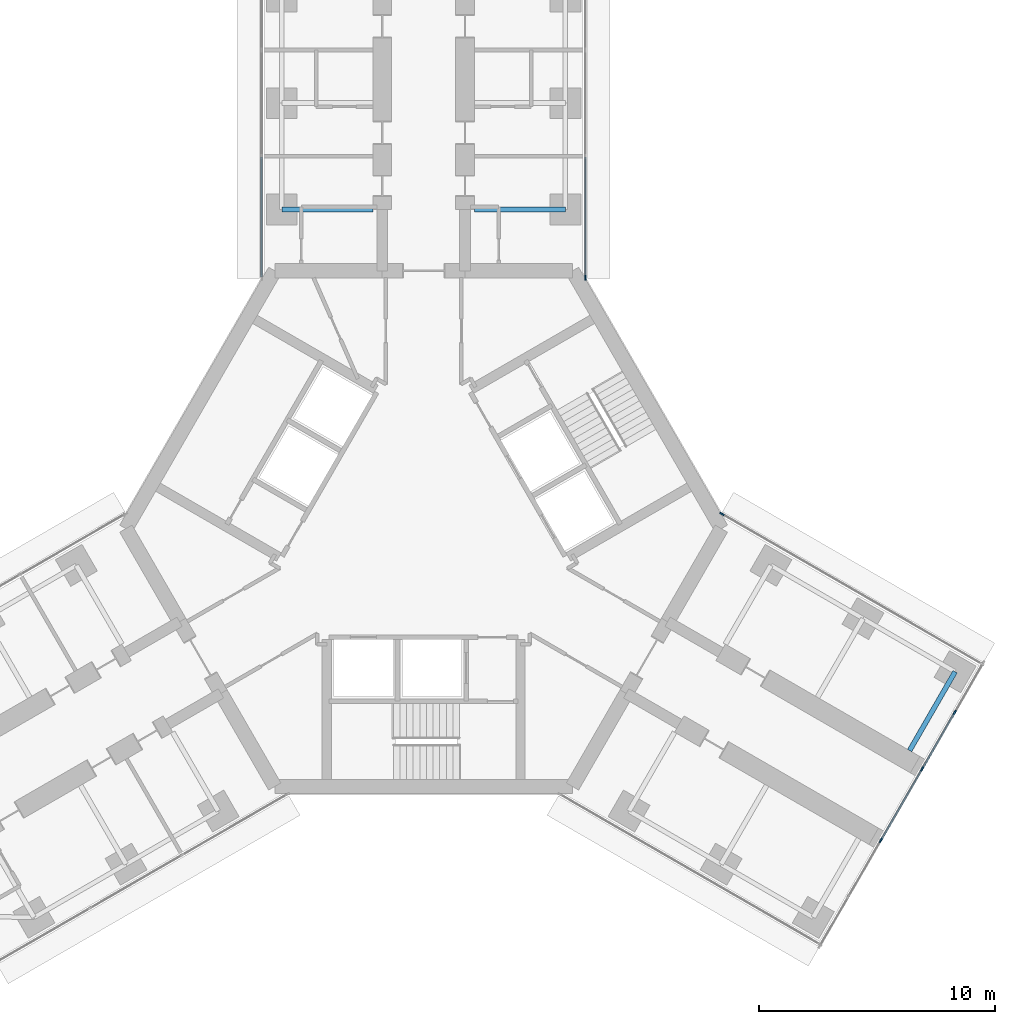
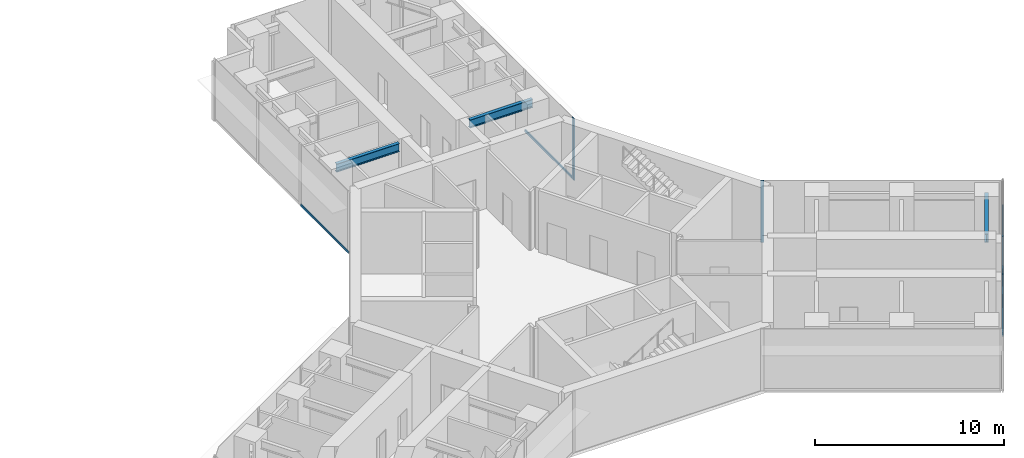
# One storey, part 10 of 22: 9 members, 3 beams, 4 elements without a shape of their own.
"""IFC4 building model written with IfcOpenShell, lengths in metres."""

from ifc_helpers import new_model, si_unit, direction, frame, origin, origin_2d, place, context, subcontext, project, spatial, rectangle, i_section, extrude, material, material_profile, profile_set, type_object, element, aggregate, save


model = new_model("IFC4")

# Units and contexts
model_context = context("Model", 3, precision=1e-05, world=origin(), true_north=direction((0.0, 1.0)))
body_context = subcontext(model_context, "Body", "Model", "MODEL_VIEW")
ifc_project = project(units=[si_unit("LENGTHUNIT", "METRE"), si_unit("AREAUNIT", "SQUARE_METRE"), si_unit("VOLUMEUNIT", "CUBIC_METRE"), si_unit("PLANEANGLEUNIT", "RADIAN"), si_unit("MASSUNIT", "GRAM", prefix="KILO")], contexts=[model_context])

# Site, building, storey
site_placement = place(None, origin())
site = spatial("IfcSite", under=ifc_project, at=site_placement, CompositionType="ELEMENT")
building_placement = place(site_placement, origin())
building = spatial("IfcBuilding", under=site, at=building_placement, Name="Upepo Twin Towers", CompositionType="ELEMENT")
storey_placement = place(building_placement, frame((0.0, 0.0, 125.5)))
storey = spatial("IfcBuildingStorey", under=building, at=storey_placement, Name="L30", CompositionType="ELEMENT", Elevation=125.5)

# Beams
ifc_material_1 = material(Name="Steel S355", Category="steel")
ifc_material_profile_1 = material_profile(ifc_material_1, i_section(OverallWidth=0.209228515625, OverallDepth=0.533203125, WebThickness=0.010009765625, FlangeThickness=0.015625, FilletRadius=0.0126953125, at=origin_2d()), Name="UB 533x210x92")
ifc_profile_set_1 = profile_set([ifc_material_profile_1], Name="Steel S355")
beam_type = type_object("IfcBeamType", Name="Beam UB 533x210x92", PredefinedType="BEAM", material=ifc_profile_set_1)
for number, where, z_axis, x_axis, name in (
    (1, (52.5, -4.5, 3.533447265625), (1.0, 0.0, 0.0), (0.0, 1.0, 0.0), "T2 girder AL at 13.5"),
    (2, (64.5, -4.5, 3.533447265625), (-1.0, 0.0, 0.0), (0.0, -1.0, 0.0), "T2 girder AR at 13.5"),
):
    element("IfcBeam", number, at=place(storey_placement, frame(where, z_axis=z_axis, x_axis=x_axis)), inside=storey, type_object=beam_type, Name=name, PredefinedType="BEAM", context=body_context, shape_type="SweptSolid", body=[
        extrude(i_section(OverallWidth=0.209228515625, OverallDepth=0.533203125, WebThickness=0.010009765625, FlangeThickness=0.015625, FilletRadius=0.0126953125, at=origin_2d()), origin(), (0.0, 0.0, 1.0), 3.85009765625),
    ])
beam_placement = place(storey_placement, frame((80.985595703125, -24.053955078125, 3.533447265625), z_axis=(-0.500033517596, -0.866006051527, 0.0), x_axis=(0.866006051527, -0.500033517596, 0.0)))
element("IfcBeam", 3, at=beam_placement, inside=storey, type_object=beam_type, Name="T2 girder CL at 22.5", PredefinedType="BEAM", context=body_context, shape_type="SweptSolid", body=[
    extrude(i_section(OverallWidth=0.209228515625, OverallDepth=0.533203125, WebThickness=0.010009765625, FlangeThickness=0.015625, FilletRadius=0.0126953125, at=origin_2d()), origin(), (0.0, 0.0, 1.0), 3.849853515625),
])

# Curtain wall, member
ifc_material_2 = material(Name="Aluminium and fritted glass", Category="aluminium")
curtain_wall_type = type_object("IfcCurtainWallType", Name="Tower curtain wall TW2, fritted glass", PredefinedType="NOTDEFINED", material=ifc_material_2)
curtain_wall_1_placement = place(storey_placement, origin())
curtain_wall_1 = element("IfcCurtainWall", 4, at=curtain_wall_1_placement, inside=storey, type_object=curtain_wall_type, Name="T2 L30 wing A flank R curtain wall", PredefinedType="NOTDEFINED")
ifc_material_3 = material(Name="Aluminium mullion", Category="aluminium")
ifc_material_profile_2 = material_profile(ifc_material_3, rectangle(XDim=0.06494140625, YDim=0.199951171875, at=origin_2d()), Name="MULLION 65x200")
ifc_profile_set_2 = profile_set([ifc_material_profile_2], Name="Aluminium mullion")
member_type_1 = type_object("IfcMemberType", Name="Mullion 65x200 TW2", PredefinedType="MULLION", material=ifc_profile_set_2)
member_1_placement = place(storey_placement, frame((65.35009765625, -7.38037109375, 0.0), z_axis=(0.0, 0.0, 1.0), x_axis=(1.0, 0.0, 0.0)))
member_1 = element("IfcMember", 5, at=member_1_placement, type_object=member_type_1, Name="T2 L30 wing A flank R curtain wall mullion 4", PredefinedType="MULLION", context=body_context, shape_type="SweptSolid", body=[
    extrude(rectangle(XDim=0.06494140625, YDim=0.199951171875, at=origin_2d()), origin(), (0.0, 0.0, 1.0), 4.0),
])

curtain_wall_2_placement = place(storey_placement, origin())
curtain_wall_2 = element("IfcCurtainWall", 6, at=curtain_wall_2_placement, inside=storey, type_object=curtain_wall_type, Name="T2 L30 wing C flank L curtain wall", PredefinedType="NOTDEFINED")
member_2_placement = place(storey_placement, frame((71.121826171875, -17.37744140625, 0.0), z_axis=(0.0, 0.0, 1.0), x_axis=(0.50000000792, 0.866025399212, 0.0)))
member_2 = element("IfcMember", 7, at=member_2_placement, type_object=member_type_1, Name="T2 L30 wing C flank L curtain wall mullion 1", PredefinedType="MULLION", context=body_context, shape_type="SweptSolid", body=[
    extrude(rectangle(XDim=0.06494140625, YDim=0.199951171875, at=origin_2d()), origin(), (0.0, 0.0, 1.0), 4.0),
])
aggregate(curtain_wall_2, [member_2])

# Curtain wall, members
curtain_wall_3_placement = place(storey_placement, origin())
curtain_wall_3 = element("IfcCurtainWall", 8, at=curtain_wall_3_placement, inside=storey, type_object=curtain_wall_type, Name="T2 L30 wing C nose curtain wall", PredefinedType="NOTDEFINED")
member_3_placement = place(storey_placement, frame((77.8466796875, -31.1904296875, 0.0), z_axis=(0.0, 0.0, 1.0), x_axis=(-0.866025419745, 0.499999972355, 0.0)))
member_3 = element("IfcMember", 9, at=member_3_placement, type_object=member_type_1, Name="T2 L30 wing C nose curtain wall mullion 3", PredefinedType="MULLION", context=body_context, shape_type="SweptSolid", body=[
    extrude(rectangle(XDim=0.06494140625, YDim=0.199951171875, at=origin_2d()), origin(), (0.0, 0.0, 1.0), 4.0),
])
member_4_placement = place(storey_placement, frame((79.5966796875, -28.159423828125, 0.0), z_axis=(0.0, 0.0, 1.0), x_axis=(-0.866025419745, 0.499999972355, 0.0)))
member_4 = element("IfcMember", 10, at=member_4_placement, type_object=member_type_1, Name="T2 L30 wing C nose curtain wall mullion 4", PredefinedType="MULLION", context=body_context, shape_type="SweptSolid", body=[
    extrude(rectangle(XDim=0.06494140625, YDim=0.199951171875, at=origin_2d()), origin(), (0.0, 0.0, 1.0), 4.0),
])
member_5_placement = place(storey_placement, frame((80.9716796875, -25.77783203125, 0.0), z_axis=(0.0, 0.0, 1.0), x_axis=(-0.866025419745, 0.499999972355, 0.0)))
member_5 = element("IfcMember", 11, at=member_5_placement, type_object=member_type_1, Name="T2 L30 wing C nose curtain wall mullion 5", PredefinedType="MULLION", context=body_context, shape_type="SweptSolid", body=[
    extrude(rectangle(XDim=0.06494140625, YDim=0.199951171875, at=origin_2d()), origin(), (0.0, 0.0, 1.0), 4.0),
])

# Curtain wall, member
curtain_wall_4_placement = place(storey_placement, origin())
curtain_wall_4 = element("IfcCurtainWall", 12, at=curtain_wall_4_placement, inside=storey, type_object=curtain_wall_type, Name="T2 L30 wing A flank L curtain wall", PredefinedType="NOTDEFINED")
ifc_material_4 = material(Name="Aluminium transom", Category="aluminium")
ifc_material_profile_3 = material_profile(ifc_material_4, rectangle(XDim=0.06494140625, YDim=0.14990234375, at=origin_2d()), Name="TRANSOM 65x150")
ifc_profile_set_3 = profile_set([ifc_material_profile_3], Name="Aluminium transom")
member_type_2 = type_object("IfcMemberType", Name="Transom 65x150 TW2", PredefinedType="USERDEFINED", material=ifc_profile_set_3)
member_6_placement = place(storey_placement, frame((51.64990234375, -7.347900390625, 0.074951171875), z_axis=(0.0, 1.0, 0.0), x_axis=(-1.0, 0.0, 0.0)))
member_6 = element("IfcMember", 13, at=member_6_placement, type_object=member_type_2, Name="T2 L30 wing A flank L curtain wall transom 1", ObjectType="TRANSOM", PredefinedType="USERDEFINED", context=body_context, shape_type="SweptSolid", body=[
    extrude(rectangle(XDim=0.06494140625, YDim=0.14990234375, at=origin_2d()), origin(), (0.0, 0.0, 1.0), 5.0654296875),
])
aggregate(curtain_wall_4, [member_6])

# Member
member_7_placement = place(storey_placement, frame((65.35009765625, -2.282470703125, 0.074951171875), z_axis=(0.0, -1.0, 0.0), x_axis=(1.0, 0.0, 0.0)))
member_7 = element("IfcMember", 14, at=member_7_placement, type_object=member_type_2, Name="T2 L30 wing A flank R curtain wall transom 3", ObjectType="TRANSOM", PredefinedType="USERDEFINED", context=body_context, shape_type="SweptSolid", body=[
    extrude(rectangle(XDim=0.06494140625, YDim=0.14990234375, at=origin_2d()), origin(), (0.0, 0.0, 1.0), 5.0654296875),
])

aggregate(curtain_wall_1, [member_1, member_7])

member_8_placement = place(storey_placement, frame((77.863037109375, -31.162353515625, 0.074951171875), z_axis=(0.499945997713, 0.866056579774, 0.0), x_axis=(-0.866056579774, 0.499945997713, 0.0)))
member_8 = element("IfcMember", 15, at=member_8_placement, type_object=member_type_2, Name="T2 L30 wing C nose curtain wall transom 3", ObjectType="TRANSOM", PredefinedType="USERDEFINED", context=body_context, shape_type="SweptSolid", body=[
    extrude(rectangle(XDim=0.06494140625, YDim=0.14990234375, at=origin_2d()), origin(), (0.0, 0.0, 1.0), 3.43505859375),
])

member_9_placement = place(storey_placement, frame((79.613037109375, -28.13134765625, 0.074951171875), z_axis=(0.49995335277, 0.8660523339, 0.0), x_axis=(-0.8660523339, 0.49995335277, 0.0)))
member_9 = element("IfcMember", 16, at=member_9_placement, type_object=member_type_2, Name="T2 L30 wing C nose curtain wall transom 4", ObjectType="TRANSOM", PredefinedType="USERDEFINED", context=body_context, shape_type="SweptSolid", body=[
    extrude(rectangle(XDim=0.06494140625, YDim=0.14990234375, at=origin_2d()), origin(), (0.0, 0.0, 1.0), 2.684814453125),
])

aggregate(curtain_wall_3, [member_3, member_4, member_5, member_8, member_9])

save(model, "model.ifc")
